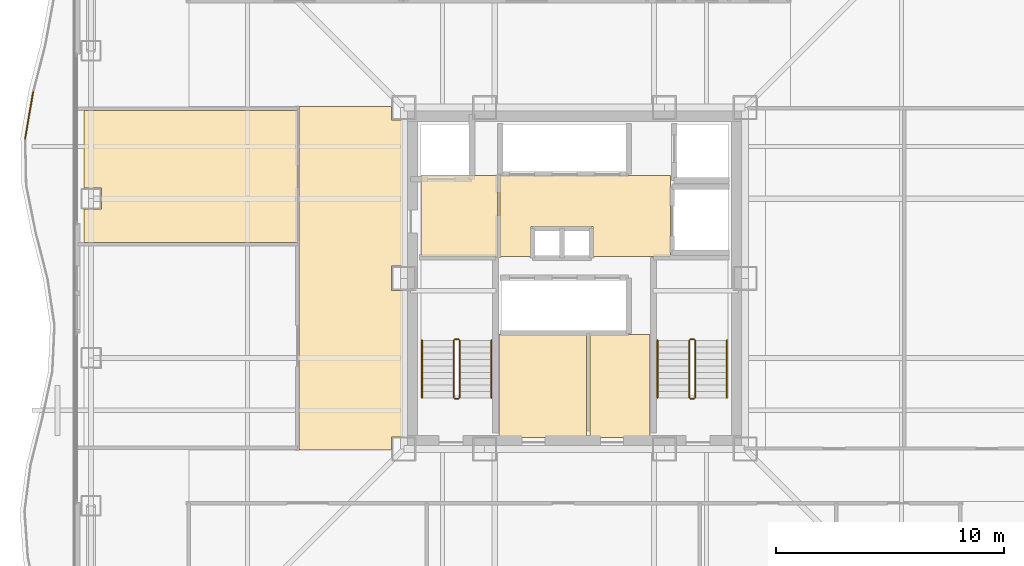
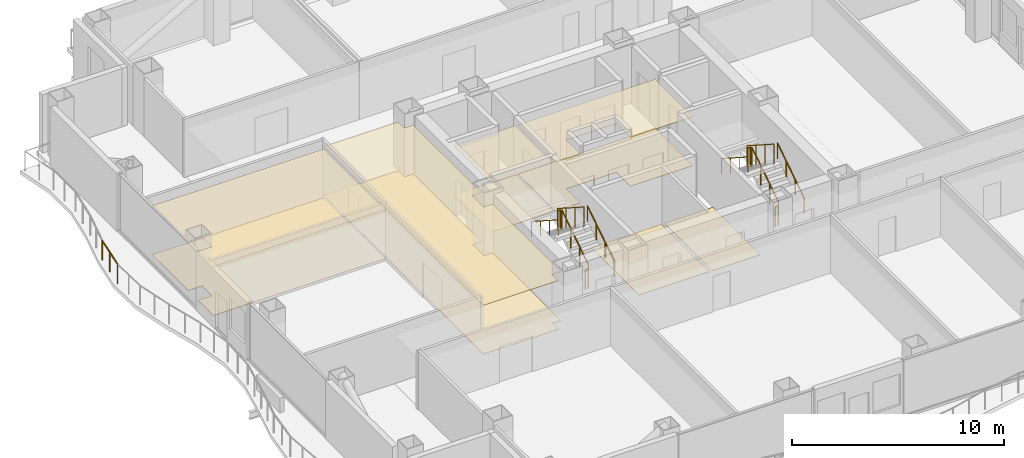
# One storey, part 16 of 18: 13 railings, 10 coverings.
"""IFC4 building model written with IfcOpenShell, lengths in metres."""

from ifc_helpers import new_model, si_unit, direction, frame, origin, origin_2d, place, context, subcontext, project, spatial, polyline, circle, outline, extrude, material, layer, layer_set, type_object, element, save


model = new_model("IFC4")

# Units and contexts
model_context = context("Model", 3, precision=1e-05, world=origin(), true_north=direction((0.0, 1.0)))
body_context = subcontext(model_context, "Body", "Model", "MODEL_VIEW")
ifc_project = project(units=[si_unit("LENGTHUNIT", "METRE"), si_unit("AREAUNIT", "SQUARE_METRE"), si_unit("VOLUMEUNIT", "CUBIC_METRE"), si_unit("PLANEANGLEUNIT", "RADIAN"), si_unit("MASSUNIT", "GRAM", prefix="KILO")], contexts=[model_context])

# Site, building, storey
site_placement = place(None, origin())
site = spatial("IfcSite", under=ifc_project, at=site_placement, CompositionType="ELEMENT")
building_placement = place(site_placement, origin())
building = spatial("IfcBuilding", under=site, at=building_placement, Name="Trevonay Congress Spire", CompositionType="ELEMENT")
storey_placement = place(building_placement, frame((0.0, 0.0, 122.800048828125)))
storey = spatial("IfcBuildingStorey", under=building, at=storey_placement, Name="L31", CompositionType="ELEMENT", Elevation=122.800048828125)

# Coverings
ifc_material_1 = material(Name="Acoustic Mineral Fibre Board", Category="gypsum")
ifc_layer_1 = layer(ifc_material_1, 0.02490234375, Name="Acoustic Mineral Fibre Board")
ifc_layer_set_1 = layer_set([ifc_layer_1], Name="Acoustic Mineral Fibre Board")
covering_type_1 = type_object("IfcCoveringType", Name="COV-CEIL-ACOUSTIC", PredefinedType="CEILING", material=ifc_layer_set_1)
covering_1_placement = place(storey_placement, frame((0.0, 0.0, 2.81005859375)))
element("IfcCovering", 1, at=covering_1_placement, inside=storey, type_object=covering_type_1, Name="L31 Firefighting Lift Lobby West acoustic suspended ceiling", PredefinedType="CEILING", context=body_context, shape_type="SweptSolid", body=[
    extrude(outline(polyline([(-6.75, 0.9599609375), (-3.3798828125, 0.9599609375), (-3.3798828125, 4.52001953125), (-6.75, 4.52001953125), (-6.75, 0.9599609375)])), origin(), (0.0, 0.0, 1.0), 0.02490234375),
])
covering_2_placement = place(storey_placement, frame((0.0, 0.0, 2.81005859375)))
element("IfcCovering", 2, at=covering_2_placement, inside=storey, type_object=covering_type_1, Name="L31 Central and High-Rise Passenger Lift Lobby acoustic suspended ceiling", PredefinedType="CEILING", context=body_context, shape_type="SweptSolid", body=[
    extrude(outline(polyline([(-3.280029296875, 0.949951171875), (-1.919921875, 0.949951171875), (-1.919921875, 2.280029296875), (0.820068359375, 2.280029296875), (0.820068359375, 0.949951171875), (4.219970703125, 0.949951171875), (4.219970703125, 4.52001953125), (-3.280029296875, 4.52001953125), (-3.280029296875, 0.949951171875)])), origin(), (0.0, 0.0, 1.0), 0.02490234375),
])
covering_3_placement = place(storey_placement, frame((0.0, 0.0, 2.81005859375)))
element("IfcCovering", 3, at=covering_3_placement, inside=storey, type_object=covering_type_1, Name="L31 West Sky Promenade Salon acoustic suspended ceiling", PredefinedType="CEILING", context=body_context, shape_type="SweptSolid", body=[
    extrude(outline(polyline([(-12.10009765625, 7.550048828125), (-8.034912109375, 7.550048828125), (-8.034912109375, 6.965087890625), (-7.550048828125, 6.965087890625), (-7.550048828125, 0.534912109375), (-8.034912109375, 0.534912109375), (-8.034912109375, -0.534912109375), (-7.550048828125, -0.534912109375), (-7.550048828125, -6.965087890625), (-8.034912109375, -6.965087890625), (-8.034912109375, -7.5400390625), (-12.10009765625, -7.5400390625), (-12.10009765625, 7.550048828125)])), origin(), (0.0, 0.0, 1.0), 0.02490234375),
])
covering_4_placement = place(storey_placement, frame((0.0, 0.0, 2.81005859375)))
element("IfcCovering", 4, at=covering_4_placement, inside=storey, type_object=covering_type_1, Name="L31 Sommelier Bar acoustic suspended ceiling", PredefinedType="CEILING", context=body_context, shape_type="SweptSolid", body=[
    extrude(outline(polyline([(-21.550048828125, 7.3701171875), (-12.179931640625, 7.3701171875), (-12.179931640625, 1.580078125), (-21.550048828125, 1.580078125), (-21.550048828125, 3.0400390625), (-20.7900390625, 3.0400390625), (-20.7900390625, 3.9599609375), (-21.550048828125, 3.9599609375), (-21.550048828125, 7.3701171875)])), origin(), (0.0, 0.0, 1.0), 0.02490234375),
])
ifc_material_2 = material(Name="Polished Granite Floor Tile", Category="masonry")
ifc_layer_2 = layer(ifc_material_2, 0.02001953125, Name="Polished Granite Floor Tile")
ifc_layer_set_2 = layer_set([ifc_layer_2], Name="Polished Granite Floor Tile")
covering_type_2 = type_object("IfcCoveringType", Name="COV-FLOOR-STONE", PredefinedType="FLOORING", material=ifc_layer_set_2)
covering_5_placement = place(storey_placement, origin())
element("IfcCovering", 5, at=covering_5_placement, inside=storey, type_object=covering_type_2, Name="L31 Firefighting Lift Lobby West floor finish", PredefinedType="FLOORING", context=body_context, shape_type="SweptSolid", body=[
    extrude(outline(polyline([(-6.75, 0.9599609375), (-3.3798828125, 0.9599609375), (-3.3798828125, 4.52001953125), (-6.75, 4.52001953125), (-6.75, 0.9599609375)])), origin(), (0.0, 0.0, 1.0), 0.02001953125),
])
covering_6_placement = place(storey_placement, origin())
element("IfcCovering", 6, at=covering_6_placement, inside=storey, type_object=covering_type_2, Name="L31 Central and High-Rise Passenger Lift Lobby floor finish", PredefinedType="FLOORING", context=body_context, shape_type="SweptSolid", body=[
    extrude(outline(polyline([(-3.280029296875, 0.949951171875), (-1.919921875, 0.949951171875), (-1.919921875, 2.280029296875), (0.820068359375, 2.280029296875), (0.820068359375, 0.949951171875), (4.219970703125, 0.949951171875), (4.219970703125, 4.52001953125), (-3.280029296875, 4.52001953125), (-3.280029296875, 0.949951171875)])), origin(), (0.0, 0.0, 1.0), 0.02001953125),
])
covering_7_placement = place(storey_placement, origin())
element("IfcCovering", 7, at=covering_7_placement, inside=storey, type_object=covering_type_2, Name="L31 Core Electrical Sub-Board Room floor finish", PredefinedType="FLOORING", context=body_context, shape_type="SweptSolid", body=[
    extrude(outline(polyline([(-3.320068359375, -7.0), (0.52001953125, -7.0), (0.52001953125, -2.47998046875), (-3.320068359375, -2.47998046875), (-3.320068359375, -7.0)])), origin(), (0.0, 0.0, 1.0), 0.02001953125),
])
covering_8_placement = place(storey_placement, origin())
element("IfcCovering", 8, at=covering_8_placement, inside=storey, type_object=covering_type_2, Name="L31 Cleaner and Housekeeping Store floor finish", PredefinedType="FLOORING", context=body_context, shape_type="SweptSolid", body=[
    extrude(outline(polyline([(0.679931640625, -7.0), (3.320068359375, -7.0), (3.320068359375, -2.47998046875), (0.679931640625, -2.47998046875), (0.679931640625, -7.0)])), origin(), (0.0, 0.0, 1.0), 0.02001953125),
])
covering_9_placement = place(storey_placement, origin())
element("IfcCovering", 9, at=covering_9_placement, inside=storey, type_object=covering_type_2, Name="L31 Sommelier Bar floor finish", PredefinedType="FLOORING", context=body_context, shape_type="SweptSolid", body=[
    extrude(outline(polyline([(-21.550048828125, 7.3701171875), (-12.179931640625, 7.3701171875), (-12.179931640625, 1.580078125), (-21.550048828125, 1.580078125), (-21.550048828125, 3.0400390625), (-20.7900390625, 3.0400390625), (-20.7900390625, 3.9599609375), (-21.550048828125, 3.9599609375), (-21.550048828125, 7.3701171875)])), origin(), (0.0, 0.0, 1.0), 0.02001953125),
])
ifc_material_3 = material(Name="Engineered Oak Flooring", Category="wood")
ifc_layer_3 = layer(ifc_material_3, 0.01806640625, Name="Engineered Oak Flooring")
ifc_layer_set_3 = layer_set([ifc_layer_3], Name="Engineered Oak Flooring")
covering_type_3 = type_object("IfcCoveringType", Name="COV-FLOOR-TIMBER", PredefinedType="FLOORING", material=ifc_layer_set_3)
covering_10_placement = place(storey_placement, origin())
element("IfcCovering", 10, at=covering_10_placement, inside=storey, type_object=covering_type_3, Name="L31 West Sky Promenade Salon floor finish", PredefinedType="FLOORING", context=body_context, shape_type="SweptSolid", body=[
    extrude(outline(polyline([(-12.10009765625, 7.550048828125), (-8.034912109375, 7.550048828125), (-8.034912109375, 6.965087890625), (-7.550048828125, 6.965087890625), (-7.550048828125, 0.534912109375), (-8.034912109375, 0.534912109375), (-8.034912109375, -0.534912109375), (-7.550048828125, -0.534912109375), (-7.550048828125, -6.965087890625), (-8.034912109375, -6.965087890625), (-8.034912109375, -7.5400390625), (-12.10009765625, -7.5400390625), (-12.10009765625, 7.550048828125)])), origin(), (0.0, 0.0, 1.0), 0.01806640625),
])

# Railings
ifc_material_4 = material(Name="Pale Anodised Aluminium EN AW-6063-T6", Category="aluminium")
railing_type_1 = type_object("IfcRailingType", Name="RAL-EXT-GUARD-115", PredefinedType="GUARDRAIL", material=ifc_material_4)
railing_1_placement = place(storey_placement, frame((-23.794921875, 8.18408203125, 0.0)))
element("IfcRailing", 11, at=railing_1_placement, inside=storey, type_object=railing_type_1, Name="L31 perimeter safety guard GRD-L31-WAV-W-22", PredefinedType="GUARDRAIL", context=body_context, shape_type="SweptSolid", body=[
    extrude(circle(Radius=0.02392578125, at=origin_2d()), frame((0.0, 0.0, 1.1259765625), z_axis=(-0.168650432904, -0.985675926196, 0.0), x_axis=(0.985675926196, -0.168650432904, 0.0)), (0.0, 0.0, 1.0), 2.075927734375),
    extrude(circle(Radius=0.02099609375, at=origin_2d()), origin(), (0.0, 0.0, 1.0), 1.101806640625),
    extrude(circle(Radius=0.02099609375, at=origin_2d()), frame((-0.175048828125, -1.02294921875, 0.0)), (0.0, 0.0, 1.0), 1.101806640625),
    extrude(circle(Radius=0.02099609375, at=origin_2d()), frame((-0.35009765625, -2.046142578125, 0.0)), (0.0, 0.0, 1.0), 1.101806640625),
])
railing_type_2 = type_object("IfcRailingType", Name="RAL-STAIR-GUARD-110", PredefinedType="GUARDRAIL", material=ifc_material_4)
railing_2_placement = place(storey_placement, frame((-5.050048828125, -5.25, 0.179931640625)))
element("IfcRailing", 12, at=railing_2_placement, inside=storey, type_object=railing_type_2, Name="L31 ST-1 stair guard 1", PredefinedType="GUARDRAIL", context=body_context, shape_type="SweptSolid", body=[
    extrude(circle(Radius=0.02392578125, at=origin_2d()), frame((0.0, 0.0, 1.1259765625), z_axis=(0.0, 0.841162588446, 0.540782303519), x_axis=(-1.0, 0.0, 0.0)), (0.0, 0.0, 1.0), 2.995849609375),
    extrude(circle(Radius=0.02099609375, at=origin_2d()), origin(), (0.0, 0.0, 1.0), 1.101806640625),
    extrude(circle(Radius=0.02099609375, at=origin_2d()), frame((0.0, 0.840087890625, 0.5400390625)), (0.0, 0.0, 1.0), 1.101806640625),
    extrude(circle(Radius=0.02099609375, at=origin_2d()), frame((0.0, 1.679931640625, 1.080078125)), (0.0, 0.0, 1.0), 1.101806640625),
    extrude(circle(Radius=0.02099609375, at=origin_2d()), frame((0.0, 2.52001953125, 1.6201171875)), (0.0, 0.0, 1.0), 1.101806640625),
])
railing_3_placement = place(storey_placement, frame((-5.10009765625, -2.679931640625, 1.800048828125)))
element("IfcRailing", 13, at=railing_3_placement, inside=storey, type_object=railing_type_2, Name="L31 ST-1 stair guard 2", PredefinedType="GUARDRAIL", context=body_context, shape_type="SweptSolid", body=[
    extrude(circle(Radius=0.02392578125, at=origin_2d()), frame((0.0, 0.0, 1.1259765625), z_axis=(-1.0, 0.0, 0.0), x_axis=(0.0, -1.0, 0.0)), (0.0, 0.0, 1.0), 0.14990234375),
    extrude(circle(Radius=0.02099609375, at=origin_2d()), origin(), (0.0, 0.0, 1.0), 1.101806640625),
    extrude(circle(Radius=0.02099609375, at=origin_2d()), frame((-0.14990234375, 0.0, 0.0)), (0.0, 0.0, 1.0), 1.101806640625),
])
railing_4_placement = place(storey_placement, frame((-5.300048828125, -2.72998046875, 1.97998046875)))
element("IfcRailing", 14, at=railing_4_placement, inside=storey, type_object=railing_type_2, Name="L31 ST-1 stair guard 3", PredefinedType="GUARDRAIL", context=body_context, shape_type="SweptSolid", body=[
    extrude(circle(Radius=0.02392578125, at=origin_2d()), frame((0.0, 0.0, 1.1259765625), z_axis=(0.0, -0.841199657755, 0.540724639528), x_axis=(1.0, 0.0, 0.0)), (0.0, 0.0, 1.0), 2.995849609375),
    extrude(circle(Radius=0.02099609375, at=origin_2d()), origin(), (0.0, 0.0, 1.0), 1.101806640625),
    extrude(circle(Radius=0.02099609375, at=origin_2d()), frame((0.0, -0.840087890625, 0.5400390625)), (0.0, 0.0, 1.0), 1.101806640625),
    extrude(circle(Radius=0.02099609375, at=origin_2d()), frame((0.0, -1.679931640625, 1.079833984375)), (0.0, 0.0, 1.0), 1.101806640625),
    extrude(circle(Radius=0.02099609375, at=origin_2d()), frame((0.0, -2.52001953125, 1.619873046875)), (0.0, 0.0, 1.0), 1.101806640625),
])
railing_5_placement = place(storey_placement, frame((-5.10009765625, -5.300048828125, 0.0)))
element("IfcRailing", 15, at=railing_5_placement, inside=storey, type_object=railing_type_2, Name="L31 ST-1 stair guard 4", PredefinedType="GUARDRAIL", context=body_context, shape_type="SweptSolid", body=[
    extrude(circle(Radius=0.02392578125, at=origin_2d()), frame((0.0, 0.0, 1.1259765625), z_axis=(-1.0, 0.0, 0.0), x_axis=(0.0, -1.0, 0.0)), (0.0, 0.0, 1.0), 0.14990234375),
    extrude(circle(Radius=0.02099609375, at=origin_2d()), origin(), (0.0, 0.0, 1.0), 1.101806640625),
    extrude(circle(Radius=0.02099609375, at=origin_2d()), frame((-0.14990234375, 0.0, 0.0)), (0.0, 0.0, 1.0), 1.101806640625),
])
railing_6_placement = place(storey_placement, frame((5.300048828125, -5.25, 0.179931640625)))
element("IfcRailing", 16, at=railing_6_placement, inside=storey, type_object=railing_type_2, Name="L31 ST-2 stair guard 1", PredefinedType="GUARDRAIL", context=body_context, shape_type="SweptSolid", body=[
    extrude(circle(Radius=0.02392578125, at=origin_2d()), frame((0.0, 0.0, 1.1259765625), z_axis=(0.0, 0.841162588446, 0.540782303519), x_axis=(-1.0, 0.0, 0.0)), (0.0, 0.0, 1.0), 2.995849609375),
    extrude(circle(Radius=0.02099609375, at=origin_2d()), origin(), (0.0, 0.0, 1.0), 1.101806640625),
    extrude(circle(Radius=0.02099609375, at=origin_2d()), frame((0.0, 0.840087890625, 0.5400390625)), (0.0, 0.0, 1.0), 1.101806640625),
    extrude(circle(Radius=0.02099609375, at=origin_2d()), frame((0.0, 1.679931640625, 1.080078125)), (0.0, 0.0, 1.0), 1.101806640625),
    extrude(circle(Radius=0.02099609375, at=origin_2d()), frame((0.0, 2.52001953125, 1.6201171875)), (0.0, 0.0, 1.0), 1.101806640625),
])
railing_7_placement = place(storey_placement, frame((5.25, -2.679931640625, 1.800048828125)))
element("IfcRailing", 17, at=railing_7_placement, inside=storey, type_object=railing_type_2, Name="L31 ST-2 stair guard 2", PredefinedType="GUARDRAIL", context=body_context, shape_type="SweptSolid", body=[
    extrude(circle(Radius=0.02392578125, at=origin_2d()), frame((0.0, 0.0, 1.1259765625), z_axis=(-1.0, 0.0, 0.0), x_axis=(0.0, -1.0, 0.0)), (0.0, 0.0, 1.0), 0.14990234375),
    extrude(circle(Radius=0.02099609375, at=origin_2d()), origin(), (0.0, 0.0, 1.0), 1.101806640625),
    extrude(circle(Radius=0.02099609375, at=origin_2d()), frame((-0.14990234375, 0.0, 0.0)), (0.0, 0.0, 1.0), 1.101806640625),
])
railing_8_placement = place(storey_placement, frame((5.050048828125, -2.72998046875, 1.97998046875)))
element("IfcRailing", 18, at=railing_8_placement, inside=storey, type_object=railing_type_2, Name="L31 ST-2 stair guard 3", PredefinedType="GUARDRAIL", context=body_context, shape_type="SweptSolid", body=[
    extrude(circle(Radius=0.02392578125, at=origin_2d()), frame((0.0, 0.0, 1.1259765625), z_axis=(0.0, -0.841199657755, 0.540724639528), x_axis=(1.0, 0.0, 0.0)), (0.0, 0.0, 1.0), 2.995849609375),
    extrude(circle(Radius=0.02099609375, at=origin_2d()), origin(), (0.0, 0.0, 1.0), 1.101806640625),
    extrude(circle(Radius=0.02099609375, at=origin_2d()), frame((0.0, -0.840087890625, 0.5400390625)), (0.0, 0.0, 1.0), 1.101806640625),
    extrude(circle(Radius=0.02099609375, at=origin_2d()), frame((0.0, -1.679931640625, 1.079833984375)), (0.0, 0.0, 1.0), 1.101806640625),
    extrude(circle(Radius=0.02099609375, at=origin_2d()), frame((0.0, -2.52001953125, 1.619873046875)), (0.0, 0.0, 1.0), 1.101806640625),
])
railing_9_placement = place(storey_placement, frame((5.25, -5.300048828125, 0.0)))
element("IfcRailing", 19, at=railing_9_placement, inside=storey, type_object=railing_type_2, Name="L31 ST-2 stair guard 4", PredefinedType="GUARDRAIL", context=body_context, shape_type="SweptSolid", body=[
    extrude(circle(Radius=0.02392578125, at=origin_2d()), frame((0.0, 0.0, 1.1259765625), z_axis=(-1.0, 0.0, 0.0), x_axis=(0.0, -1.0, 0.0)), (0.0, 0.0, 1.0), 0.14990234375),
    extrude(circle(Radius=0.02099609375, at=origin_2d()), origin(), (0.0, 0.0, 1.0), 1.101806640625),
    extrude(circle(Radius=0.02099609375, at=origin_2d()), frame((-0.14990234375, 0.0, 0.0)), (0.0, 0.0, 1.0), 1.101806640625),
])
railing_type_3 = type_object("IfcRailingType", Name="RAL-STAIR-HANDRAIL", PredefinedType="HANDRAIL", material=ifc_material_4)
railing_10_placement = place(storey_placement, frame((-3.64990234375, -5.25, 0.179931640625)))
element("IfcRailing", 20, at=railing_10_placement, inside=storey, type_object=railing_type_3, Name="L31 ST-1 stair handrail 1", PredefinedType="HANDRAIL", context=body_context, shape_type="SweptSolid", body=[
    extrude(circle(Radius=0.02392578125, at=origin_2d()), frame((0.0, 0.0, 0.8759765625), z_axis=(0.0, 0.841162588446, 0.540782303519), x_axis=(-1.0, 0.0, 0.0)), (0.0, 0.0, 1.0), 2.995849609375),
    extrude(circle(Radius=0.02099609375, at=origin_2d()), origin(), (0.0, 0.0, 1.0), 0.851806640625),
    extrude(circle(Radius=0.02099609375, at=origin_2d()), frame((0.0, 0.840087890625, 0.5400390625)), (0.0, 0.0, 1.0), 0.851806640625),
    extrude(circle(Radius=0.02099609375, at=origin_2d()), frame((0.0, 1.679931640625, 1.080078125)), (0.0, 0.0, 1.0), 0.851806640625),
    extrude(circle(Radius=0.02099609375, at=origin_2d()), frame((0.0, 2.52001953125, 1.6201171875)), (0.0, 0.0, 1.0), 0.851806640625),
])
railing_11_placement = place(storey_placement, frame((-6.699951171875, -2.72998046875, 1.97998046875)))
element("IfcRailing", 21, at=railing_11_placement, inside=storey, type_object=railing_type_3, Name="L31 ST-1 stair handrail 2", PredefinedType="HANDRAIL", context=body_context, shape_type="SweptSolid", body=[
    extrude(circle(Radius=0.02392578125, at=origin_2d()), frame((0.0, 0.0, 0.8759765625), z_axis=(0.0, -0.841199657755, 0.540724639528), x_axis=(1.0, 0.0, 0.0)), (0.0, 0.0, 1.0), 2.995849609375),
    extrude(circle(Radius=0.02099609375, at=origin_2d()), origin(), (0.0, 0.0, 1.0), 0.851806640625),
    extrude(circle(Radius=0.02099609375, at=origin_2d()), frame((0.0, -0.840087890625, 0.5400390625)), (0.0, 0.0, 1.0), 0.851806640625),
    extrude(circle(Radius=0.02099609375, at=origin_2d()), frame((0.0, -1.679931640625, 1.079833984375)), (0.0, 0.0, 1.0), 0.851806640625),
    extrude(circle(Radius=0.02099609375, at=origin_2d()), frame((0.0, -2.52001953125, 1.619873046875)), (0.0, 0.0, 1.0), 0.851806640625),
])
railing_12_placement = place(storey_placement, frame((6.699951171875, -5.25, 0.179931640625)))
element("IfcRailing", 22, at=railing_12_placement, inside=storey, type_object=railing_type_3, Name="L31 ST-2 stair handrail 1", PredefinedType="HANDRAIL", context=body_context, shape_type="SweptSolid", body=[
    extrude(circle(Radius=0.02392578125, at=origin_2d()), frame((0.0, 0.0, 0.8759765625), z_axis=(0.0, 0.841162588446, 0.540782303519), x_axis=(-1.0, 0.0, 0.0)), (0.0, 0.0, 1.0), 2.995849609375),
    extrude(circle(Radius=0.02099609375, at=origin_2d()), origin(), (0.0, 0.0, 1.0), 0.851806640625),
    extrude(circle(Radius=0.02099609375, at=origin_2d()), frame((0.0, 0.840087890625, 0.5400390625)), (0.0, 0.0, 1.0), 0.851806640625),
    extrude(circle(Radius=0.02099609375, at=origin_2d()), frame((0.0, 1.679931640625, 1.080078125)), (0.0, 0.0, 1.0), 0.851806640625),
    extrude(circle(Radius=0.02099609375, at=origin_2d()), frame((0.0, 2.52001953125, 1.6201171875)), (0.0, 0.0, 1.0), 0.851806640625),
])
railing_13_placement = place(storey_placement, frame((3.64990234375, -2.72998046875, 1.97998046875)))
element("IfcRailing", 23, at=railing_13_placement, inside=storey, type_object=railing_type_3, Name="L31 ST-2 stair handrail 2", PredefinedType="HANDRAIL", context=body_context, shape_type="SweptSolid", body=[
    extrude(circle(Radius=0.02392578125, at=origin_2d()), frame((0.0, 0.0, 0.8759765625), z_axis=(0.0, -0.841199657755, 0.540724639528), x_axis=(1.0, 0.0, 0.0)), (0.0, 0.0, 1.0), 2.995849609375),
    extrude(circle(Radius=0.02099609375, at=origin_2d()), origin(), (0.0, 0.0, 1.0), 0.851806640625),
    extrude(circle(Radius=0.02099609375, at=origin_2d()), frame((0.0, -0.840087890625, 0.5400390625)), (0.0, 0.0, 1.0), 0.851806640625),
    extrude(circle(Radius=0.02099609375, at=origin_2d()), frame((0.0, -1.679931640625, 1.079833984375)), (0.0, 0.0, 1.0), 0.851806640625),
    extrude(circle(Radius=0.02099609375, at=origin_2d()), frame((0.0, -2.52001953125, 1.619873046875)), (0.0, 0.0, 1.0), 0.851806640625),
])

save(model, "model.ifc")
